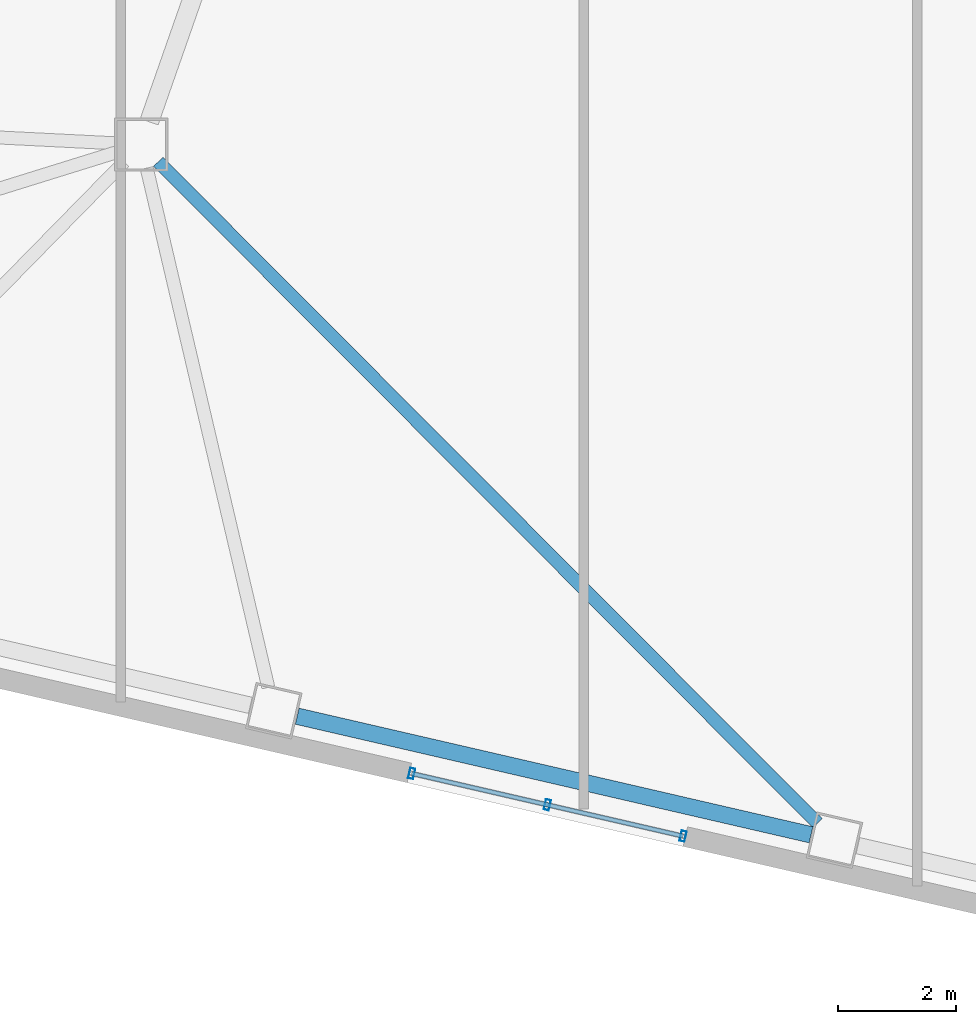
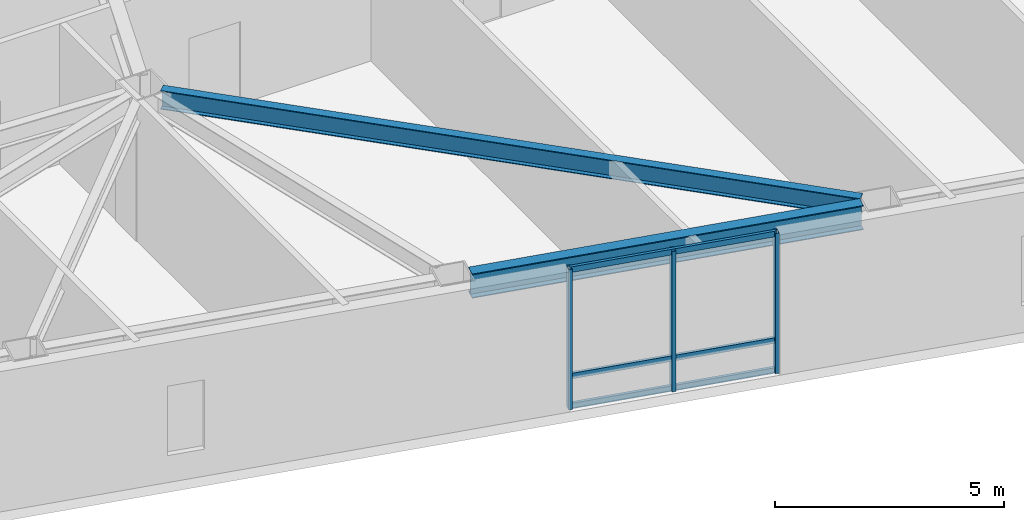
# One storey, part 2 of 19: 6 members, 2 beams, 1 element without a shape of its own.
"""IFC4 building model written with IfcOpenShell, lengths in metres."""

import ifcopenshell
import ifcopenshell.guid

model = None  # the IFC model being written
_history = None  # IfcOwnerHistory: only IFC2X3 demands one
_inside = {}  # id of a spatial element -> (the spatial element, [elements in it])
_under = {}  # id of a project, library or spatial element -> (it, [spatial elements below it])
_declared = {}  # id of a project -> (the project, [libraries it declares])
_typed = {}  # id of a type object -> (the type object, [elements of that type])
_made_of = {}  # id of a material, layer set ... -> (it, [elements and type objects made of it])


def new_model(schema):
    """Start an empty IFC model of exactly this schema.

    Asked for "IFC4X3", IfcOpenShell would pick the latest addendum, in which some entities
    have other attributes; the version numbers below select the first issue.
    IFC2X3 requires an IfcOwnerHistory on every rooted entity: one is made here for all.
    """
    global model, _history
    if schema == "IFC4X3":
        model = ifcopenshell.file(schema_version=(4, 3, 0, 0))
    else:
        model = ifcopenshell.file(schema=schema)
    _inside.clear()
    _under.clear()
    _declared.clear()
    _typed.clear()
    _made_of.clear()
    _history = None
    if model.schema == "IFC2X3":
        org = make("IfcOrganization", Name="unknown")
        user = make(
            "IfcPersonAndOrganization",
            ThePerson=make("IfcPerson", FamilyName="unknown"),
            TheOrganization=org,
        )
        app = make(
            "IfcApplication",
            ApplicationDeveloper=org,
            Version="unknown",
            ApplicationFullName="unknown",
            ApplicationIdentifier="unknown",
        )
        _history = make(
            "IfcOwnerHistory",
            OwningUser=user,
            OwningApplication=app,
            ChangeAction="ADDED",
            CreationDate=0,
        )
    return model


def make(cls, **values):
    """One entity of the class cls with the attributes given. An attribute that is None is left unset."""
    return model.create_entity(
        cls, **{name: value for name, value in values.items() if value is not None}
    )


def rooted(cls, **values):
    """An entity with a GlobalId (a new one), such as an element, a storey or a relation."""
    return make(cls, GlobalId=ifcopenshell.guid.new(), OwnerHistory=_history, **values)


def si_unit(unit_type, name, prefix=None):
    """IfcSIUnit, for example si_unit("LENGTHUNIT", "METRE", prefix="MILLI")."""
    return make("IfcSIUnit", UnitType=unit_type, Prefix=prefix, Name=name)


def assignment(units):
    """IfcUnitAssignment: the units of a project."""
    return None if units is None else make("IfcUnitAssignment", Units=units)


def point(xyz):
    """IfcCartesianPoint."""
    return None if xyz is None else make("IfcCartesianPoint", Coordinates=xyz)


def direction(xyz):
    """IfcDirection."""
    return None if xyz is None else make("IfcDirection", DirectionRatios=xyz)


def frame(location, z_axis=None, x_axis=None):
    """IfcAxis2Placement3D, a coordinate frame: its origin and axes. An axis left out is left unset."""
    return make(
        "IfcAxis2Placement3D",
        Location=point(location),
        Axis=direction(z_axis),
        RefDirection=direction(x_axis),
    )


def frame_2d(location, x_axis=None):
    """IfcAxis2Placement2D, a coordinate frame in the plane: its origin and x axis."""
    return make(
        "IfcAxis2Placement2D", Location=point(location), RefDirection=direction(x_axis)
    )


def origin():
    """The frame at (0, 0, 0) with its axes left unset."""
    return frame((0.0, 0.0, 0.0))


def origin_2d():
    """The frame at (0, 0) in the plane with its x axis left unset."""
    return frame_2d((0.0, 0.0))


def place(relative_to, where):
    """IfcLocalPlacement: puts the frame where relative to a parent placement (None: the world)."""
    return make(
        "IfcLocalPlacement", PlacementRelTo=relative_to, RelativePlacement=where
    )


def context(
    kind, dimensions, precision=None, world=None, true_north=None, identifier=None
):
    """IfcGeometricRepresentationContext, for example the 3D "Model" context."""
    return make(
        "IfcGeometricRepresentationContext",
        ContextIdentifier=identifier,
        ContextType=kind,
        CoordinateSpaceDimension=dimensions,
        Precision=precision,
        WorldCoordinateSystem=world,
        TrueNorth=true_north,
    )


def subcontext(parent, identifier, kind, view, scale=None):
    """IfcGeometricRepresentationSubContext, for example "Body" below "Model"."""
    return make(
        "IfcGeometricRepresentationSubContext",
        ContextIdentifier=identifier,
        ContextType=kind,
        ParentContext=parent,
        TargetScale=scale,
        TargetView=view,
    )


def project(units=None, contexts=None):
    """IfcProject with its units and contexts."""
    return rooted(
        "IfcProject",
        Name="project",
        RepresentationContexts=contexts,
        UnitsInContext=assignment(units),
    )


def spatial(cls, under=None, at=None, **own):
    """A site, building, storey or space (cls), placed at a placement, below another one or the project."""
    s = rooted(cls, ObjectPlacement=at, **own)
    if under is not None:
        _under.setdefault(under.id(), (under, []))[1].append(s)
    return s


def profile(cls, at=None, kind="AREA", **sizes):
    """A parametric profile (cls). Its sizes go by their IFC names, for example OverallWidth=200.0."""
    return make(cls, ProfileType=kind, Position=at, **sizes)


def hollow_rectangle(**sizes):
    """IfcRectangleHollowProfileDef."""
    return profile("IfcRectangleHollowProfileDef", **sizes)


def i_section(**sizes):
    """IfcIShapeProfileDef."""
    return profile("IfcIShapeProfileDef", **sizes)


def extrude(swept, where, along, depth):
    """IfcExtrudedAreaSolid: the profile swept, set in the frame where, extruded along a direction by depth."""
    return make(
        "IfcExtrudedAreaSolid",
        SweptArea=swept,
        Position=where,
        ExtrudedDirection=direction(along),
        Depth=depth,
    )


def shape(context_of_items, identifier, shape_type, items):
    """IfcShapeRepresentation: the items that make up one representation, for example the "Body"."""
    return make(
        "IfcShapeRepresentation",
        ContextOfItems=context_of_items,
        RepresentationIdentifier=identifier,
        RepresentationType=shape_type,
        Items=items,
    )


def material(Name=None, Category=None):
    """IfcMaterial."""
    return make("IfcMaterial", Name=Name, Category=Category)


def layer(
    of_material, thickness, ventilated=None, Name=None, Category=None, Priority=None
):
    """IfcMaterialLayer: one layer of a wall or slab, of a material (None: an air gap)."""
    return make(
        "IfcMaterialLayer",
        Material=of_material,
        LayerThickness=thickness,
        IsVentilated=ventilated,
        Name=Name,
        Category=Category,
        Priority=Priority,
    )


def layer_set(layers, Name=None):
    """IfcMaterialLayerSet."""
    return make("IfcMaterialLayerSet", MaterialLayers=layers, LayerSetName=Name)


def material_profile(
    of_material, cross_section, Name=None, Category=None, Priority=None
):
    """IfcMaterialProfile: a cross section and its material."""
    return make(
        "IfcMaterialProfile",
        Name=Name,
        Material=of_material,
        Profile=cross_section,
        Priority=Priority,
        Category=Category,
    )


def profile_set(profiles, Name=None, composite=None):
    """IfcMaterialProfileSet."""
    return make(
        "IfcMaterialProfileSet",
        Name=Name,
        MaterialProfiles=profiles,
        CompositeProfile=composite,
    )


def made_of(thing, what):
    """Note that an element or type object is made of a material, layer set ...; save() writes the relation."""
    if what is not None:
        _made_of.setdefault(what.id(), (what, []))[1].append(thing)
    return thing


def type_object(cls, material=None, **own):
    """A type object (cls), such as IfcWallType, which elements share."""
    return made_of(rooted(cls, **own), material)


def element(
    cls,
    number,
    at=None,
    inside=None,
    cuts=None,
    type_object=None,
    material=None,
    context=None,
    identifier="Body",
    shape_type=None,
    held_by="IfcProductDefinitionShape",
    body=None,
    shapes=None,
    **own,
):
    """One element of the class cls, such as IfcWall. Its Tag is "e" and its number.

    at: its placement. inside: the storey or other place that contains it. cuts: it is an
    opening in that element (IfcRelVoidsElement). A single representation is given by context,
    identifier, shape_type and body (its items); several are given by shapes. held_by: the class
    of the entity that holds the representations. save() writes the other relations.
    """
    e = rooted(cls, Tag="e%d" % number, ObjectPlacement=at, **own)
    if body is not None:
        shapes = [shape(context, identifier, shape_type, body)]
    if shapes is not None:
        e.Representation = make(held_by, Representations=shapes)
    if inside is not None:
        _inside.setdefault(inside.id(), (inside, []))[1].append(e)
    if cuts is not None:
        rooted(
            "IfcRelVoidsElement", RelatingBuildingElement=cuts, RelatedOpeningElement=e
        )
    if type_object is not None:
        _typed.setdefault(type_object.id(), (type_object, []))[1].append(e)
    return made_of(e, material)


def aggregate(whole, parts):
    """IfcRelAggregates: a whole, such as a stair, and the parts it consists of."""
    return rooted("IfcRelAggregates", RelatingObject=whole, RelatedObjects=parts)


def save(model, path):
    """Write the relations noted so far, then the file.

    IfcRelAggregates (storeys below a building ...), IfcRelContainedInSpatialStructure (elements
    in a storey), IfcRelDefinesByType, IfcRelAssociatesMaterial and IfcRelDeclares: one each for
    every whole, place, type object, material and project.
    """
    for whole, parts in _under.values():
        aggregate(whole, parts)
    for where, things in _inside.values():
        rooted(
            "IfcRelContainedInSpatialStructure",
            RelatedElements=things,
            RelatingStructure=where,
        )
    for kind, things in _typed.values():
        rooted("IfcRelDefinesByType", RelatedObjects=things, RelatingType=kind)
    for what, things in _made_of.values():
        rooted("IfcRelAssociatesMaterial", RelatedObjects=things, RelatingMaterial=what)
    for by, libraries in _declared.values():
        rooted("IfcRelDeclares", RelatingContext=by, RelatedDefinitions=libraries)
    model.write(path)


model = new_model("IFC4")

# Units and contexts
model_context = context("Model", 3, precision=1e-05, world=origin(), true_north=direction((0.0, 1.0)))
body_context = subcontext(model_context, "Body", "Model", "MODEL_VIEW")
ifc_project = project(units=[si_unit("LENGTHUNIT", "METRE"), si_unit("AREAUNIT", "SQUARE_METRE"), si_unit("VOLUMEUNIT", "CUBIC_METRE"), si_unit("PLANEANGLEUNIT", "RADIAN"), si_unit("MASSUNIT", "GRAM", prefix="KILO")], contexts=[model_context])

# Site, building, storey
site_placement = place(None, origin())
site = spatial("IfcSite", under=ifc_project, at=site_placement, CompositionType="ELEMENT")
building_placement = place(site_placement, origin())
building = spatial("IfcBuilding", under=site, at=building_placement, Name="Tavrogorsk Clinical Tower", CompositionType="ELEMENT")
storey_placement = place(building_placement, frame((0.0, 0.0, 75.39990234375)))
storey = spatial("IfcBuildingStorey", under=building, at=storey_placement, Name="L16", CompositionType="ELEMENT", Elevation=75.39990234375)

# Curtain wall, members
ifc_material_1 = material(Name="Anodised aluminium and triple IGU glazing", Category="aluminium")
ifc_layer = layer(ifc_material_1, 0.179931640625)
ifc_layer_set = layer_set([ifc_layer], Name="Anodised aluminium and triple IGU glazing")
curtain_wall_type = type_object("IfcCurtainWallType", Name="CW3_SouthSlot", PredefinedType="NOTDEFINED", material=ifc_layer_set)
curtain_wall_placement = place(storey_placement, origin())
curtain_wall = element("IfcCurtainWall", 1, at=curtain_wall_placement, inside=storey, type_object=curtain_wall_type, Name="L16 Curtain Wall CW-L16-S-SLOT-1", PredefinedType="NOTDEFINED")
ifc_material_2 = material(Name="Anodised aluminium alloy AW-6060", Category="aluminium")
ifc_material_profile_1 = material_profile(ifc_material_2, hollow_rectangle(XDim=0.090087890625, YDim=0.179931640625, WallThickness=0.00634765625, at=origin_2d()), Name="RHS-180x90x6.3")
ifc_profile_set_1 = profile_set([ifc_material_profile_1], Name="Anodised aluminium alloy AW-6060")
member_type_1 = type_object("IfcMemberType", Name="CwMullion_180x90", PredefinedType="MULLION", material=ifc_profile_set_1)
member_1_placement = place(storey_placement, frame((-19.917724609375, -23.8544921875, 0.0), z_axis=(0.0, 0.0, 1.0), x_axis=(0.974370046851, -0.224951132027, 0.0)))
member_1 = element("IfcMember", 2, at=member_1_placement, type_object=member_type_1, Name="CW-L16-S-SLOT-1 Mullion 1", PredefinedType="MULLION", context=body_context, shape_type="SweptSolid", body=[
    extrude(hollow_rectangle(XDim=0.090087890625, YDim=0.179931640625, WallThickness=0.00634765625, at=origin_2d()), origin(), (0.0, 0.0, 1.0), 3.739990234375),
])
member_2_placement = place(storey_placement, frame((-17.619384765625, -24.38525390625, 0.0), z_axis=(0.0, 0.0, 1.0), x_axis=(0.974370046851, -0.224951132027, 0.0)))
member_2 = element("IfcMember", 3, at=member_2_placement, type_object=member_type_1, Name="CW-L16-S-SLOT-1 Mullion 2", PredefinedType="MULLION", context=body_context, shape_type="SweptSolid", body=[
    extrude(hollow_rectangle(XDim=0.090087890625, YDim=0.179931640625, WallThickness=0.00634765625, at=origin_2d()), origin(), (0.0, 0.0, 1.0), 3.739990234375),
])
member_3_placement = place(storey_placement, frame((-15.32080078125, -24.916015625, 0.0), z_axis=(0.0, 0.0, 1.0), x_axis=(0.974370046851, -0.224951132027, 0.0)))
member_3 = element("IfcMember", 4, at=member_3_placement, type_object=member_type_1, Name="CW-L16-S-SLOT-1 Mullion 3", PredefinedType="MULLION", context=body_context, shape_type="SweptSolid", body=[
    extrude(hollow_rectangle(XDim=0.090087890625, YDim=0.179931640625, WallThickness=0.00634765625, at=origin_2d()), origin(), (0.0, 0.0, 1.0), 3.739990234375),
])
ifc_material_3 = material(Name="Anodised aluminium alloy AW-6060", Category="aluminium")
ifc_material_profile_2 = material_profile(ifc_material_3, hollow_rectangle(XDim=0.074951171875, YDim=0.14990234375, WallThickness=0.0048828125, at=origin_2d()), Name="RHS-150x75x5")
ifc_profile_set_2 = profile_set([ifc_material_profile_2], Name="Anodised aluminium alloy AW-6060")
member_type_2 = type_object("IfcMemberType", Name="CwTransom_150x75", PredefinedType="USERDEFINED", material=ifc_profile_set_2)
member_4_placement = place(storey_placement, frame((-19.917724609375, -23.8544921875, 0.050048828125), z_axis=(0.974358915979, -0.224999339672, 0.0), x_axis=(0.224999339672, 0.974358915979, 0.0)))
member_4 = element("IfcMember", 5, at=member_4_placement, type_object=member_type_2, Name="CW-L16-S-SLOT-1 Transom 1", ObjectType="TRANSOM", PredefinedType="USERDEFINED", context=body_context, shape_type="SweptSolid", body=[
    extrude(hollow_rectangle(XDim=0.074951171875, YDim=0.14990234375, WallThickness=0.0048828125, at=origin_2d()), origin(), (0.0, 0.0, 1.0), 4.718017578125),
])
member_5_placement = place(storey_placement, frame((-19.917724609375, -23.8544921875, 0.85009765625), z_axis=(0.974358915979, -0.224999339672, 0.0), x_axis=(0.224999339672, 0.974358915979, 0.0)))
member_5 = element("IfcMember", 6, at=member_5_placement, type_object=member_type_2, Name="CW-L16-S-SLOT-1 Transom 2", ObjectType="TRANSOM", PredefinedType="USERDEFINED", context=body_context, shape_type="SweptSolid", body=[
    extrude(hollow_rectangle(XDim=0.074951171875, YDim=0.14990234375, WallThickness=0.0048828125, at=origin_2d()), origin(), (0.0, 0.0, 1.0), 4.718017578125),
])
member_6_placement = place(storey_placement, frame((-19.917724609375, -23.8544921875, 3.690185546875), z_axis=(0.974358915979, -0.224999339672, 0.0), x_axis=(0.224999339672, 0.974358915979, 0.0)))
member_6 = element("IfcMember", 7, at=member_6_placement, type_object=member_type_2, Name="CW-L16-S-SLOT-1 Transom 3", ObjectType="TRANSOM", PredefinedType="USERDEFINED", context=body_context, shape_type="SweptSolid", body=[
    extrude(hollow_rectangle(XDim=0.074951171875, YDim=0.14990234375, WallThickness=0.0048828125, at=origin_2d()), origin(), (0.0, 0.0, 1.0), 4.718017578125),
])
aggregate(curtain_wall, [member_1, member_2, member_3, member_4, member_5, member_6])

# Beams
ifc_material_4 = material(Name="Structural steel S355", Category="steel")
ifc_material_profile_3 = material_profile(ifc_material_4, i_section(OverallWidth=0.219970703125, OverallDepth=0.5, WebThickness=0.012939453125, FlangeThickness=0.02001953125, at=origin_2d()), Name="B-500x220x13x20")
ifc_profile_set_3 = profile_set([ifc_material_profile_3], Name="Structural steel S355")
beam_type_1 = type_object("IfcBeamType", Name="FloorBeam_B500", PredefinedType="BEAM", material=ifc_profile_set_3)
beam_1_placement = place(storey_placement, frame((-24.210693359375, -13.490478515625, 3.489990234375), z_axis=(0.705909757155, -0.70830178226, 0.0), x_axis=(0.70830178226, 0.705909757155, 0.0)))
element("IfcBeam", 8, at=beam_1_placement, inside=storey, type_object=beam_type_1, Name="L16 Radial Floor Beam S4", PredefinedType="BEAM", context=body_context, shape_type="SweptSolid", body=[
    extrude(i_section(OverallWidth=0.219970703125, OverallDepth=0.5, WebThickness=0.012939453125, FlangeThickness=0.02001953125, at=origin_2d()), origin(), (0.0, 0.0, 1.0), 15.820068359375),
])
ifc_material_5 = material(Name="Structural steel S390", Category="steel")
ifc_material_profile_4 = material_profile(ifc_material_5, i_section(OverallWidth=0.280029296875, OverallDepth=0.64990234375, WebThickness=0.01611328125, FlangeThickness=0.02490234375, at=origin_2d()), Name="B-650x280x16x25")
ifc_profile_set_4 = profile_set([ifc_material_profile_4], Name="Structural steel S390")
beam_type_2 = type_object("IfcBeamType", Name="SpandrelBeam_B650", PredefinedType="SPANDREL", material=ifc_profile_set_4)
beam_2_placement = place(storey_placement, frame((-21.8564453125, -22.8837890625, 3.4150390625), z_axis=(0.974372766602, -0.224939351168, 0.0), x_axis=(0.224939351168, 0.974372766602, 0.0)))
element("IfcBeam", 9, at=beam_2_placement, inside=storey, type_object=beam_type_2, Name="L16 Perimeter Spandrel S3-S4", PredefinedType="SPANDREL", context=body_context, shape_type="SweptSolid", body=[
    extrude(i_section(OverallWidth=0.280029296875, OverallDepth=0.64990234375, WebThickness=0.01611328125, FlangeThickness=0.02490234375, at=origin_2d()), origin(), (0.0, 0.0, 1.0), 8.9326171875),
])

save(model, "model.ifc")
